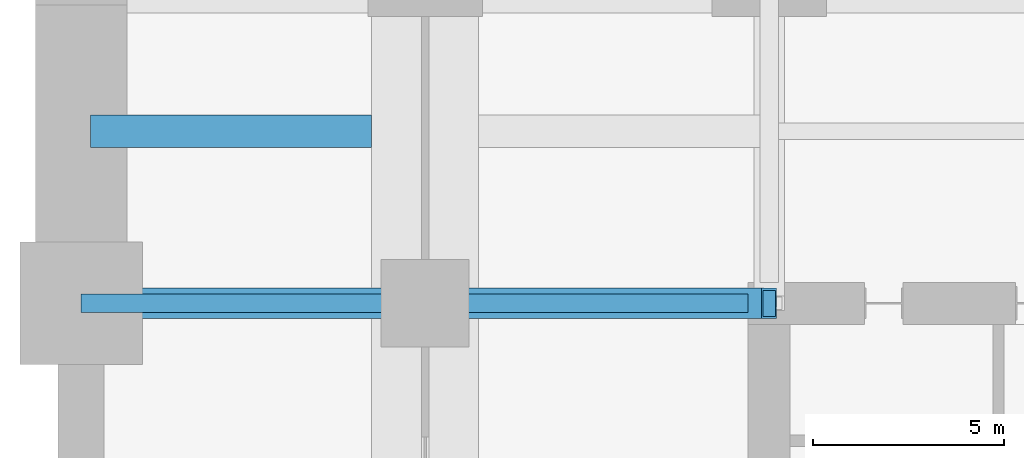
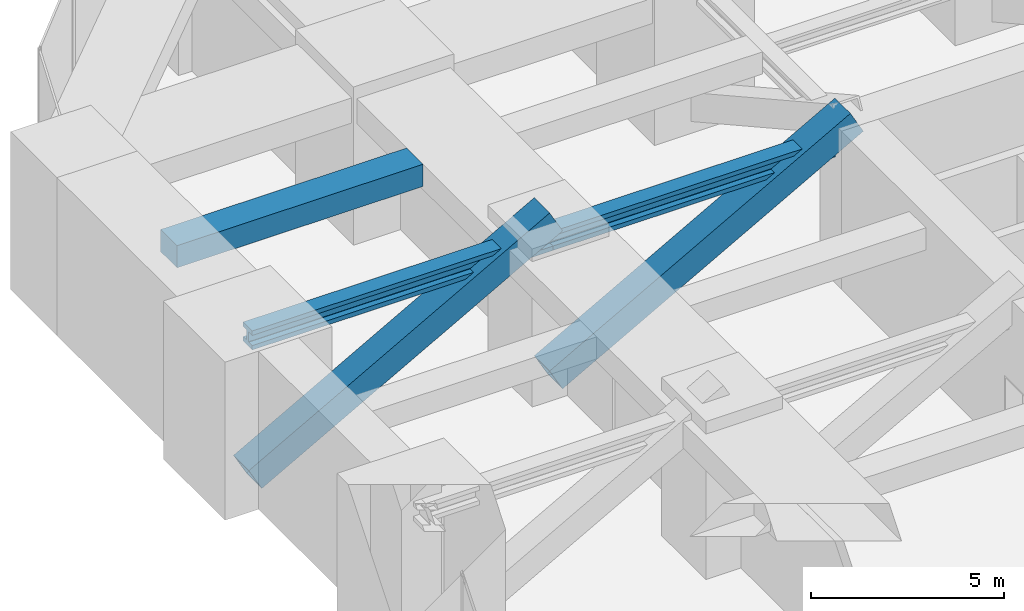
# One storey, part 20 of 35: 3 beams, 2 members.
"""IFC4 building model written with IfcOpenShell, lengths in metres."""

import ifcopenshell
import ifcopenshell.guid

model = None  # the IFC model being written
_history = None  # IfcOwnerHistory: only IFC2X3 demands one
_inside = {}  # id of a spatial element -> (the spatial element, [elements in it])
_under = {}  # id of a project, library or spatial element -> (it, [spatial elements below it])
_declared = {}  # id of a project -> (the project, [libraries it declares])
_typed = {}  # id of a type object -> (the type object, [elements of that type])
_made_of = {}  # id of a material, layer set ... -> (it, [elements and type objects made of it])


def new_model(schema):
    """Start an empty IFC model of exactly this schema.

    Asked for "IFC4X3", IfcOpenShell would pick the latest addendum, in which some entities
    have other attributes; the version numbers below select the first issue.
    IFC2X3 requires an IfcOwnerHistory on every rooted entity: one is made here for all.
    """
    global model, _history
    if schema == "IFC4X3":
        model = ifcopenshell.file(schema_version=(4, 3, 0, 0))
    else:
        model = ifcopenshell.file(schema=schema)
    _inside.clear()
    _under.clear()
    _declared.clear()
    _typed.clear()
    _made_of.clear()
    _history = None
    if model.schema == "IFC2X3":
        org = make("IfcOrganization", Name="unknown")
        user = make(
            "IfcPersonAndOrganization",
            ThePerson=make("IfcPerson", FamilyName="unknown"),
            TheOrganization=org,
        )
        app = make(
            "IfcApplication",
            ApplicationDeveloper=org,
            Version="unknown",
            ApplicationFullName="unknown",
            ApplicationIdentifier="unknown",
        )
        _history = make(
            "IfcOwnerHistory",
            OwningUser=user,
            OwningApplication=app,
            ChangeAction="ADDED",
            CreationDate=0,
        )
    return model


def make(cls, **values):
    """One entity of the class cls with the attributes given. An attribute that is None is left unset."""
    return model.create_entity(
        cls, **{name: value for name, value in values.items() if value is not None}
    )


def rooted(cls, **values):
    """An entity with a GlobalId (a new one), such as an element, a storey or a relation."""
    return make(cls, GlobalId=ifcopenshell.guid.new(), OwnerHistory=_history, **values)


def si_unit(unit_type, name, prefix=None):
    """IfcSIUnit, for example si_unit("LENGTHUNIT", "METRE", prefix="MILLI")."""
    return make("IfcSIUnit", UnitType=unit_type, Prefix=prefix, Name=name)


def assignment(units):
    """IfcUnitAssignment: the units of a project."""
    return None if units is None else make("IfcUnitAssignment", Units=units)


def point(xyz):
    """IfcCartesianPoint."""
    return None if xyz is None else make("IfcCartesianPoint", Coordinates=xyz)


def direction(xyz):
    """IfcDirection."""
    return None if xyz is None else make("IfcDirection", DirectionRatios=xyz)


def frame(location, z_axis=None, x_axis=None):
    """IfcAxis2Placement3D, a coordinate frame: its origin and axes. An axis left out is left unset."""
    return make(
        "IfcAxis2Placement3D",
        Location=point(location),
        Axis=direction(z_axis),
        RefDirection=direction(x_axis),
    )


def frame_2d(location, x_axis=None):
    """IfcAxis2Placement2D, a coordinate frame in the plane: its origin and x axis."""
    return make(
        "IfcAxis2Placement2D", Location=point(location), RefDirection=direction(x_axis)
    )


def origin():
    """The frame at (0, 0, 0) with its axes left unset."""
    return frame((0.0, 0.0, 0.0))


def origin_2d():
    """The frame at (0, 0) in the plane with its x axis left unset."""
    return frame_2d((0.0, 0.0))


def place(relative_to, where):
    """IfcLocalPlacement: puts the frame where relative to a parent placement (None: the world)."""
    return make(
        "IfcLocalPlacement", PlacementRelTo=relative_to, RelativePlacement=where
    )


def context(
    kind, dimensions, precision=None, world=None, true_north=None, identifier=None
):
    """IfcGeometricRepresentationContext, for example the 3D "Model" context."""
    return make(
        "IfcGeometricRepresentationContext",
        ContextIdentifier=identifier,
        ContextType=kind,
        CoordinateSpaceDimension=dimensions,
        Precision=precision,
        WorldCoordinateSystem=world,
        TrueNorth=true_north,
    )


def subcontext(parent, identifier, kind, view, scale=None):
    """IfcGeometricRepresentationSubContext, for example "Body" below "Model"."""
    return make(
        "IfcGeometricRepresentationSubContext",
        ContextIdentifier=identifier,
        ContextType=kind,
        ParentContext=parent,
        TargetScale=scale,
        TargetView=view,
    )


def project(units=None, contexts=None):
    """IfcProject with its units and contexts."""
    return rooted(
        "IfcProject",
        Name="project",
        RepresentationContexts=contexts,
        UnitsInContext=assignment(units),
    )


def spatial(cls, under=None, at=None, **own):
    """A site, building, storey or space (cls), placed at a placement, below another one or the project."""
    s = rooted(cls, ObjectPlacement=at, **own)
    if under is not None:
        _under.setdefault(under.id(), (under, []))[1].append(s)
    return s


def profile(cls, at=None, kind="AREA", **sizes):
    """A parametric profile (cls). Its sizes go by their IFC names, for example OverallWidth=200.0."""
    return make(cls, ProfileType=kind, Position=at, **sizes)


def rectangle(**sizes):
    """IfcRectangleProfileDef."""
    return profile("IfcRectangleProfileDef", **sizes)


def hollow_rectangle(**sizes):
    """IfcRectangleHollowProfileDef."""
    return profile("IfcRectangleHollowProfileDef", **sizes)


def i_section(**sizes):
    """IfcIShapeProfileDef."""
    return profile("IfcIShapeProfileDef", **sizes)


def extrude(swept, where, along, depth):
    """IfcExtrudedAreaSolid: the profile swept, set in the frame where, extruded along a direction by depth."""
    return make(
        "IfcExtrudedAreaSolid",
        SweptArea=swept,
        Position=where,
        ExtrudedDirection=direction(along),
        Depth=depth,
    )


def shape(context_of_items, identifier, shape_type, items):
    """IfcShapeRepresentation: the items that make up one representation, for example the "Body"."""
    return make(
        "IfcShapeRepresentation",
        ContextOfItems=context_of_items,
        RepresentationIdentifier=identifier,
        RepresentationType=shape_type,
        Items=items,
    )


def material(Name=None, Category=None):
    """IfcMaterial."""
    return make("IfcMaterial", Name=Name, Category=Category)


def material_profile(
    of_material, cross_section, Name=None, Category=None, Priority=None
):
    """IfcMaterialProfile: a cross section and its material."""
    return make(
        "IfcMaterialProfile",
        Name=Name,
        Material=of_material,
        Profile=cross_section,
        Priority=Priority,
        Category=Category,
    )


def profile_set(profiles, Name=None, composite=None):
    """IfcMaterialProfileSet."""
    return make(
        "IfcMaterialProfileSet",
        Name=Name,
        MaterialProfiles=profiles,
        CompositeProfile=composite,
    )


def made_of(thing, what):
    """Note that an element or type object is made of a material, layer set ...; save() writes the relation."""
    if what is not None:
        _made_of.setdefault(what.id(), (what, []))[1].append(thing)
    return thing


def type_object(cls, material=None, **own):
    """A type object (cls), such as IfcWallType, which elements share."""
    return made_of(rooted(cls, **own), material)


def element(
    cls,
    number,
    at=None,
    inside=None,
    cuts=None,
    type_object=None,
    material=None,
    context=None,
    identifier="Body",
    shape_type=None,
    held_by="IfcProductDefinitionShape",
    body=None,
    shapes=None,
    **own,
):
    """One element of the class cls, such as IfcWall. Its Tag is "e" and its number.

    at: its placement. inside: the storey or other place that contains it. cuts: it is an
    opening in that element (IfcRelVoidsElement). A single representation is given by context,
    identifier, shape_type and body (its items); several are given by shapes. held_by: the class
    of the entity that holds the representations. save() writes the other relations.
    """
    e = rooted(cls, Tag="e%d" % number, ObjectPlacement=at, **own)
    if body is not None:
        shapes = [shape(context, identifier, shape_type, body)]
    if shapes is not None:
        e.Representation = make(held_by, Representations=shapes)
    if inside is not None:
        _inside.setdefault(inside.id(), (inside, []))[1].append(e)
    if cuts is not None:
        rooted(
            "IfcRelVoidsElement", RelatingBuildingElement=cuts, RelatedOpeningElement=e
        )
    if type_object is not None:
        _typed.setdefault(type_object.id(), (type_object, []))[1].append(e)
    return made_of(e, material)


def aggregate(whole, parts):
    """IfcRelAggregates: a whole, such as a stair, and the parts it consists of."""
    return rooted("IfcRelAggregates", RelatingObject=whole, RelatedObjects=parts)


def save(model, path):
    """Write the relations noted so far, then the file.

    IfcRelAggregates (storeys below a building ...), IfcRelContainedInSpatialStructure (elements
    in a storey), IfcRelDefinesByType, IfcRelAssociatesMaterial and IfcRelDeclares: one each for
    every whole, place, type object, material and project.
    """
    for whole, parts in _under.values():
        aggregate(whole, parts)
    for where, things in _inside.values():
        rooted(
            "IfcRelContainedInSpatialStructure",
            RelatedElements=things,
            RelatingStructure=where,
        )
    for kind, things in _typed.values():
        rooted("IfcRelDefinesByType", RelatedObjects=things, RelatingType=kind)
    for what, things in _made_of.values():
        rooted("IfcRelAssociatesMaterial", RelatedObjects=things, RelatingMaterial=what)
    for by, libraries in _declared.values():
        rooted("IfcRelDeclares", RelatingContext=by, RelatedDefinitions=libraries)
    model.write(path)


model = new_model("IFC4")

# Units and contexts
model_context = context("Model", 3, precision=1e-05, world=origin(), true_north=direction((0.0, 1.0)))
body_context = subcontext(model_context, "Body", "Model", "MODEL_VIEW")
ifc_project = project(units=[si_unit("LENGTHUNIT", "METRE"), si_unit("AREAUNIT", "SQUARE_METRE"), si_unit("VOLUMEUNIT", "CUBIC_METRE"), si_unit("PLANEANGLEUNIT", "RADIAN"), si_unit("MASSUNIT", "GRAM", prefix="KILO")], contexts=[model_context])

# Site, building, storey
site_placement = place(None, origin())
site = spatial("IfcSite", under=ifc_project, at=site_placement, CompositionType="ELEMENT")
building_placement = place(site_placement, origin())
building = spatial("IfcBuilding", under=site, at=building_placement, Name="Zorevar Civic Tower", CompositionType="ELEMENT")
storey_placement = place(building_placement, frame((0.0, 0.0, 80.0)))
storey = spatial("IfcBuildingStorey", under=building, at=storey_placement, Name="L19", CompositionType="ELEMENT", Elevation=80.0)

# Beams
ifc_material_1 = material(Name="Concrete C50/60", Category="concrete")
ifc_material_profile_1 = material_profile(ifc_material_1, rectangle(XDim=0.85009765625, YDim=0.699951171875, at=origin_2d()), Name="RC 850x700")
ifc_profile_set_1 = profile_set([ifc_material_profile_1], Name="Concrete C50/60")
beam_type_1 = type_object("IfcBeamType", Name="Beam RC 850x700", PredefinedType="BEAM", material=ifc_profile_set_1)
beam_1_placement = place(storey_placement, frame((0.238037109375, 40.5, 4.25), z_axis=(1.0, 0.0, 0.0), x_axis=(0.0, 1.0, 0.0)))
element("IfcBeam", 1, at=beam_1_placement, inside=storey, type_object=beam_type_1, Name="Secondary beam L20", PredefinedType="BEAM", context=body_context, shape_type="SweptSolid", body=[
    extrude(rectangle(XDim=0.85009765625, YDim=0.699951171875, at=origin_2d()), origin(), (0.0, 0.0, 1.0), 7.362060546875),
])
ifc_material_2 = material(Name="Steel S460M (HISTAR 460)", Category="steel")
ifc_material_profile_2 = material_profile(ifc_material_2, i_section(OverallWidth=0.47607421875, OverallDepth=0.60009765625, WebThickness=0.10009765625, FlangeThickness=0.139892578125, FilletRadius=0.014892578125, at=origin_2d()), Name="HD 400x1299")
ifc_profile_set_2 = profile_set([ifc_material_profile_2], Name="Steel S460M (HISTAR 460)")
beam_type_2 = type_object("IfcBeamType", Name="Outrigger chord HD 400x1299", PredefinedType="BEAM", material=ifc_profile_set_2)
beam_2_placement = place(storey_placement, frame((0.0, 36.0, 4.300048828125), z_axis=(1.0, 0.0, 0.0), x_axis=(0.0, 1.0, 0.0)))
element("IfcBeam", 2, at=beam_2_placement, inside=storey, type_object=beam_type_2, Name="Outrigger chord L20", PredefinedType="BEAM", context=body_context, shape_type="SweptSolid", body=[
    extrude(i_section(OverallWidth=0.47607421875, OverallDepth=0.60009765625, WebThickness=0.10009765625, FlangeThickness=0.139892578125, FilletRadius=0.014892578125, at=origin_2d()), origin(), (0.0, 0.0, 1.0), 9.0),
])
beam_3_placement = place(storey_placement, frame((9.0, 36.0, 4.300048828125), z_axis=(1.0, 0.0, 0.0), x_axis=(0.0, 1.0, 0.0)))
element("IfcBeam", 3, at=beam_3_placement, inside=storey, type_object=beam_type_2, Name="Outrigger chord L20", PredefinedType="BEAM", context=body_context, shape_type="SweptSolid", body=[
    extrude(i_section(OverallWidth=0.47607421875, OverallDepth=0.60009765625, WebThickness=0.10009765625, FlangeThickness=0.139892578125, FilletRadius=0.014892578125, at=origin_2d()), origin(), (0.0, 0.0, 1.0), 8.449951171875),
])

# Members
ifc_material_3 = material(Name="Steel S460M (HISTAR 460)", Category="steel")
ifc_material_profile_3 = material_profile(ifc_material_3, hollow_rectangle(XDim=0.800048828125, YDim=0.800048828125, WallThickness=0.06005859375, at=origin_2d()), Name="BOX 800x800x60")
ifc_profile_set_3 = profile_set([ifc_material_profile_3], Name="Steel S460M (HISTAR 460)")
member_type = type_object("IfcMemberType", Name="Outrigger diagonal BOX 800x800x60", PredefinedType="BRACE", material=ifc_profile_set_3)
for number, where, z_axis, x_axis, name in (
    (4, (18.0, 36.0, 5.0), (-0.874157276122, 0.0, -0.485642931179), (0.0, -1.0, 0.0), "Outrigger diagonal W L19"),
    (5, (9.0, 36.0, 5.0), (-0.874157276122, 0.0, -0.485642931179), (0.0, -1.0, 0.0), "Outrigger diagonal W L19"),
):
    element("IfcMember", number, at=place(storey_placement, frame(where, z_axis=z_axis, x_axis=x_axis)), inside=storey, type_object=member_type, Name=name, PredefinedType="BRACE", context=body_context, shape_type="SweptSolid", body=[
        extrude(hollow_rectangle(XDim=0.800048828125, YDim=0.800048828125, WallThickness=0.06005859375, at=origin_2d()), origin(), (0.0, 0.0, 1.0), 10.295654296875),
    ])

save(model, "model.ifc")
